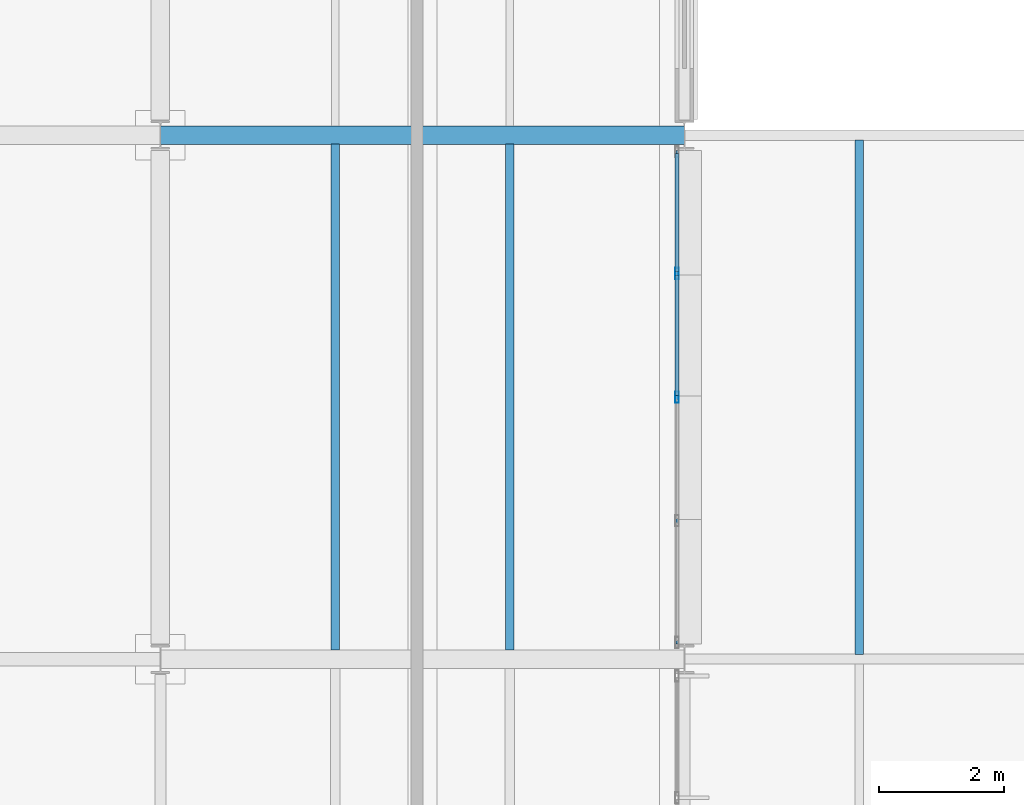
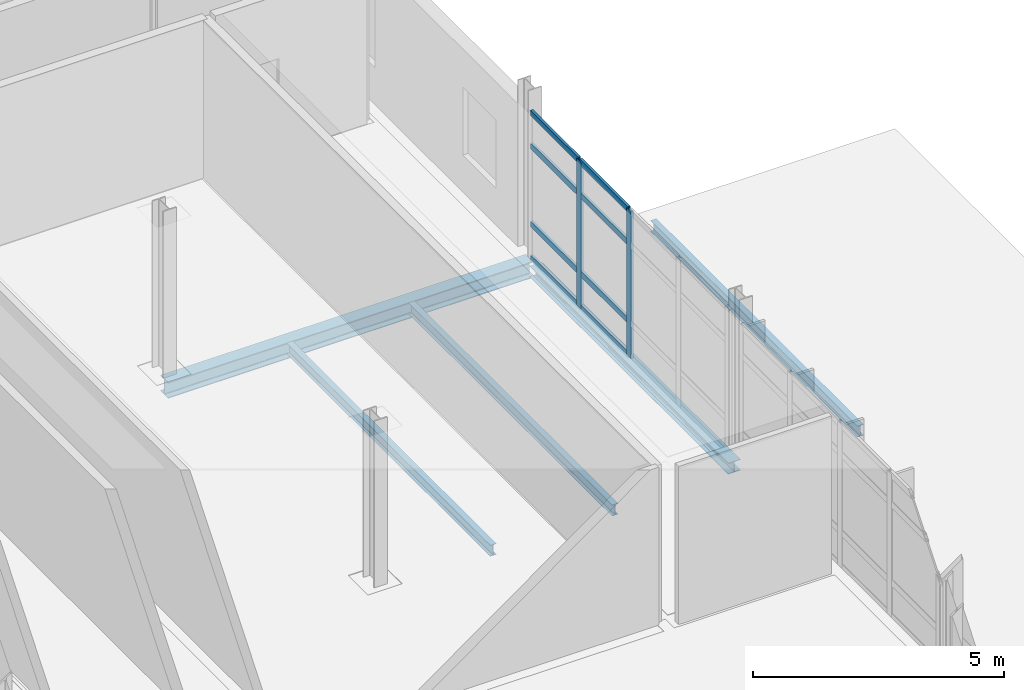
# One storey, part 98 of 151: 10 members, 5 beams, 1 element without a shape of its own.
"""IFC4 building model written with IfcOpenShell, lengths in metres."""

import ifcopenshell
import ifcopenshell.guid

model = None  # the IFC model being written
_history = None  # IfcOwnerHistory: only IFC2X3 demands one
_inside = {}  # id of a spatial element -> (the spatial element, [elements in it])
_under = {}  # id of a project, library or spatial element -> (it, [spatial elements below it])
_declared = {}  # id of a project -> (the project, [libraries it declares])
_typed = {}  # id of a type object -> (the type object, [elements of that type])
_made_of = {}  # id of a material, layer set ... -> (it, [elements and type objects made of it])


def new_model(schema):
    """Start an empty IFC model of exactly this schema.

    Asked for "IFC4X3", IfcOpenShell would pick the latest addendum, in which some entities
    have other attributes; the version numbers below select the first issue.
    IFC2X3 requires an IfcOwnerHistory on every rooted entity: one is made here for all.
    """
    global model, _history
    if schema == "IFC4X3":
        model = ifcopenshell.file(schema_version=(4, 3, 0, 0))
    else:
        model = ifcopenshell.file(schema=schema)
    _inside.clear()
    _under.clear()
    _declared.clear()
    _typed.clear()
    _made_of.clear()
    _history = None
    if model.schema == "IFC2X3":
        org = make("IfcOrganization", Name="unknown")
        user = make(
            "IfcPersonAndOrganization",
            ThePerson=make("IfcPerson", FamilyName="unknown"),
            TheOrganization=org,
        )
        app = make(
            "IfcApplication",
            ApplicationDeveloper=org,
            Version="unknown",
            ApplicationFullName="unknown",
            ApplicationIdentifier="unknown",
        )
        _history = make(
            "IfcOwnerHistory",
            OwningUser=user,
            OwningApplication=app,
            ChangeAction="ADDED",
            CreationDate=0,
        )
    return model


def make(cls, **values):
    """One entity of the class cls with the attributes given. An attribute that is None is left unset."""
    return model.create_entity(
        cls, **{name: value for name, value in values.items() if value is not None}
    )


def rooted(cls, **values):
    """An entity with a GlobalId (a new one), such as an element, a storey or a relation."""
    return make(cls, GlobalId=ifcopenshell.guid.new(), OwnerHistory=_history, **values)


def si_unit(unit_type, name, prefix=None):
    """IfcSIUnit, for example si_unit("LENGTHUNIT", "METRE", prefix="MILLI")."""
    return make("IfcSIUnit", UnitType=unit_type, Prefix=prefix, Name=name)


def assignment(units):
    """IfcUnitAssignment: the units of a project."""
    return None if units is None else make("IfcUnitAssignment", Units=units)


def point(xyz):
    """IfcCartesianPoint."""
    return None if xyz is None else make("IfcCartesianPoint", Coordinates=xyz)


def direction(xyz):
    """IfcDirection."""
    return None if xyz is None else make("IfcDirection", DirectionRatios=xyz)


def frame(location, z_axis=None, x_axis=None):
    """IfcAxis2Placement3D, a coordinate frame: its origin and axes. An axis left out is left unset."""
    return make(
        "IfcAxis2Placement3D",
        Location=point(location),
        Axis=direction(z_axis),
        RefDirection=direction(x_axis),
    )


def frame_2d(location, x_axis=None):
    """IfcAxis2Placement2D, a coordinate frame in the plane: its origin and x axis."""
    return make(
        "IfcAxis2Placement2D", Location=point(location), RefDirection=direction(x_axis)
    )


def origin():
    """The frame at (0, 0, 0) with its axes left unset."""
    return frame((0.0, 0.0, 0.0))


def origin_2d():
    """The frame at (0, 0) in the plane with its x axis left unset."""
    return frame_2d((0.0, 0.0))


def place(relative_to, where):
    """IfcLocalPlacement: puts the frame where relative to a parent placement (None: the world)."""
    return make(
        "IfcLocalPlacement", PlacementRelTo=relative_to, RelativePlacement=where
    )


def context(
    kind, dimensions, precision=None, world=None, true_north=None, identifier=None
):
    """IfcGeometricRepresentationContext, for example the 3D "Model" context."""
    return make(
        "IfcGeometricRepresentationContext",
        ContextIdentifier=identifier,
        ContextType=kind,
        CoordinateSpaceDimension=dimensions,
        Precision=precision,
        WorldCoordinateSystem=world,
        TrueNorth=true_north,
    )


def subcontext(parent, identifier, kind, view, scale=None):
    """IfcGeometricRepresentationSubContext, for example "Body" below "Model"."""
    return make(
        "IfcGeometricRepresentationSubContext",
        ContextIdentifier=identifier,
        ContextType=kind,
        ParentContext=parent,
        TargetScale=scale,
        TargetView=view,
    )


def project(units=None, contexts=None):
    """IfcProject with its units and contexts."""
    return rooted(
        "IfcProject",
        Name="project",
        RepresentationContexts=contexts,
        UnitsInContext=assignment(units),
    )


def spatial(cls, under=None, at=None, **own):
    """A site, building, storey or space (cls), placed at a placement, below another one or the project."""
    s = rooted(cls, ObjectPlacement=at, **own)
    if under is not None:
        _under.setdefault(under.id(), (under, []))[1].append(s)
    return s


def profile(cls, at=None, kind="AREA", **sizes):
    """A parametric profile (cls). Its sizes go by their IFC names, for example OverallWidth=200.0."""
    return make(cls, ProfileType=kind, Position=at, **sizes)


def hollow_rectangle(**sizes):
    """IfcRectangleHollowProfileDef."""
    return profile("IfcRectangleHollowProfileDef", **sizes)


def i_section(**sizes):
    """IfcIShapeProfileDef."""
    return profile("IfcIShapeProfileDef", **sizes)


def extrude(swept, where, along, depth):
    """IfcExtrudedAreaSolid: the profile swept, set in the frame where, extruded along a direction by depth."""
    return make(
        "IfcExtrudedAreaSolid",
        SweptArea=swept,
        Position=where,
        ExtrudedDirection=direction(along),
        Depth=depth,
    )


def shape(context_of_items, identifier, shape_type, items):
    """IfcShapeRepresentation: the items that make up one representation, for example the "Body"."""
    return make(
        "IfcShapeRepresentation",
        ContextOfItems=context_of_items,
        RepresentationIdentifier=identifier,
        RepresentationType=shape_type,
        Items=items,
    )


def material(Name=None, Category=None):
    """IfcMaterial."""
    return make("IfcMaterial", Name=Name, Category=Category)


def material_profile(
    of_material, cross_section, Name=None, Category=None, Priority=None
):
    """IfcMaterialProfile: a cross section and its material."""
    return make(
        "IfcMaterialProfile",
        Name=Name,
        Material=of_material,
        Profile=cross_section,
        Priority=Priority,
        Category=Category,
    )


def profile_set(profiles, Name=None, composite=None):
    """IfcMaterialProfileSet."""
    return make(
        "IfcMaterialProfileSet",
        Name=Name,
        MaterialProfiles=profiles,
        CompositeProfile=composite,
    )


def made_of(thing, what):
    """Note that an element or type object is made of a material, layer set ...; save() writes the relation."""
    if what is not None:
        _made_of.setdefault(what.id(), (what, []))[1].append(thing)
    return thing


def type_object(cls, material=None, **own):
    """A type object (cls), such as IfcWallType, which elements share."""
    return made_of(rooted(cls, **own), material)


def element(
    cls,
    number,
    at=None,
    inside=None,
    cuts=None,
    type_object=None,
    material=None,
    context=None,
    identifier="Body",
    shape_type=None,
    held_by="IfcProductDefinitionShape",
    body=None,
    shapes=None,
    **own,
):
    """One element of the class cls, such as IfcWall. Its Tag is "e" and its number.

    at: its placement. inside: the storey or other place that contains it. cuts: it is an
    opening in that element (IfcRelVoidsElement). A single representation is given by context,
    identifier, shape_type and body (its items); several are given by shapes. held_by: the class
    of the entity that holds the representations. save() writes the other relations.
    """
    e = rooted(cls, Tag="e%d" % number, ObjectPlacement=at, **own)
    if body is not None:
        shapes = [shape(context, identifier, shape_type, body)]
    if shapes is not None:
        e.Representation = make(held_by, Representations=shapes)
    if inside is not None:
        _inside.setdefault(inside.id(), (inside, []))[1].append(e)
    if cuts is not None:
        rooted(
            "IfcRelVoidsElement", RelatingBuildingElement=cuts, RelatedOpeningElement=e
        )
    if type_object is not None:
        _typed.setdefault(type_object.id(), (type_object, []))[1].append(e)
    return made_of(e, material)


def aggregate(whole, parts):
    """IfcRelAggregates: a whole, such as a stair, and the parts it consists of."""
    return rooted("IfcRelAggregates", RelatingObject=whole, RelatedObjects=parts)


def save(model, path):
    """Write the relations noted so far, then the file.

    IfcRelAggregates (storeys below a building ...), IfcRelContainedInSpatialStructure (elements
    in a storey), IfcRelDefinesByType, IfcRelAssociatesMaterial and IfcRelDeclares: one each for
    every whole, place, type object, material and project.
    """
    for whole, parts in _under.values():
        aggregate(whole, parts)
    for where, things in _inside.values():
        rooted(
            "IfcRelContainedInSpatialStructure",
            RelatedElements=things,
            RelatingStructure=where,
        )
    for kind, things in _typed.values():
        rooted("IfcRelDefinesByType", RelatedObjects=things, RelatingType=kind)
    for what, things in _made_of.values():
        rooted("IfcRelAssociatesMaterial", RelatedObjects=things, RelatingMaterial=what)
    for by, libraries in _declared.values():
        rooted("IfcRelDeclares", RelatingContext=by, RelatedDefinitions=libraries)
    model.write(path)


model = new_model("IFC4")

# Units and contexts
model_context = context("Model", 3, precision=1e-05, world=origin(), true_north=direction((0.0, 1.0)))
body_context = subcontext(model_context, "Body", "Model", "MODEL_VIEW")
ifc_project = project(units=[si_unit("LENGTHUNIT", "METRE"), si_unit("AREAUNIT", "SQUARE_METRE"), si_unit("VOLUMEUNIT", "CUBIC_METRE"), si_unit("PLANEANGLEUNIT", "RADIAN"), si_unit("MASSUNIT", "GRAM", prefix="KILO")], contexts=[model_context])

# Site, building, storey
site_placement = place(None, origin())
site = spatial("IfcSite", under=ifc_project, at=site_placement, CompositionType="ELEMENT")
building_placement = place(site_placement, origin())
building = spatial("IfcBuilding", under=site, at=building_placement, Name="Mersafa Astral City Hall", CompositionType="ELEMENT")
storey_placement = place(building_placement, frame((0.0, 0.0, 9.89990234375)))
storey = spatial("IfcBuildingStorey", under=building, at=storey_placement, Name="L02", CompositionType="ELEMENT", Elevation=9.89990234375)

# Curtain wall, members
ifc_material_1 = material(Name="Anodised bronze aluminium framing", Category="aluminium")
curtain_wall_type = type_object("IfcCurtainWallType", Name="ENV-CW-6", PredefinedType="USERDEFINED", material=ifc_material_1)
curtain_wall_placement = place(storey_placement, origin())
curtain_wall = element("IfcCurtainWall", 1, at=curtain_wall_placement, inside=storey, type_object=curtain_wall_type, Name="L02 Unitised solar curtain wall 125", ObjectType="UNITISED CURTAIN WALL", PredefinedType="USERDEFINED")
ifc_material_profile_1 = material_profile(ifc_material_1, hollow_rectangle(XDim=0.06005859375, YDim=0.179931640625, WallThickness=0.00390625, at=origin_2d()), Name="RHS 60x180x4")
ifc_profile_set_1 = profile_set([ifc_material_profile_1], Name="Anodised bronze aluminium framing")
member_type_1 = type_object("IfcMemberType", Name="ENV-CW-MUL-1", PredefinedType="MULLION", material=ifc_profile_set_1)
member_1_placement = place(storey_placement, frame((176.280029296875, 88.199951171875, -0.001953125), z_axis=(0.0, 0.0, 1.0), x_axis=(-1.0, 0.0, 0.0)))
member_1 = element("IfcMember", 2, at=member_1_placement, type_object=member_type_1, Name="CW-6 mullion 3", PredefinedType="MULLION", context=body_context, shape_type="SweptSolid", body=[
    extrude(hollow_rectangle(XDim=0.06005859375, YDim=0.179931640625, WallThickness=0.00390625, at=origin_2d()), origin(), (0.0, 0.0, 1.0), 3.5791015625),
])
member_2_placement = place(storey_placement, frame((176.280029296875, 90.181396484375, -0.001953125), z_axis=(0.0, 0.0, 1.0), x_axis=(-1.0, 0.0, 0.0)))
member_2 = element("IfcMember", 3, at=member_2_placement, type_object=member_type_1, Name="CW-6 mullion 4", PredefinedType="MULLION", context=body_context, shape_type="SweptSolid", body=[
    extrude(hollow_rectangle(XDim=0.06005859375, YDim=0.179931640625, WallThickness=0.00390625, at=origin_2d()), origin(), (0.0, 0.0, 1.0), 3.5791015625),
])
ifc_material_profile_2 = material_profile(ifc_material_1, hollow_rectangle(XDim=0.06005859375, YDim=0.139892578125, WallThickness=0.00390625, at=origin_2d()), Name="RHS 60x140x4")
ifc_profile_set_2 = profile_set([ifc_material_profile_2], Name="Anodised bronze aluminium framing")
member_type_2 = type_object("IfcMemberType", Name="ENV-CW-TRN-1", PredefinedType="USERDEFINED", material=ifc_profile_set_2)
member_3_placement = place(storey_placement, frame((176.280029296875, 88.22998046875, 0.028076171875), z_axis=(0.0, 1.0, 0.0), x_axis=(-1.0, 0.0, 0.0)))
member_3 = element("IfcMember", 4, at=member_3_placement, type_object=member_type_2, Name="CW-6 transom 3.1", ObjectType="TRANSOM", PredefinedType="USERDEFINED", context=body_context, shape_type="SweptSolid", body=[
    extrude(hollow_rectangle(XDim=0.06005859375, YDim=0.139892578125, WallThickness=0.00390625, at=origin_2d()), origin(), (0.0, 0.0, 1.0), 1.921630859375),
])
member_4_placement = place(storey_placement, frame((176.280029296875, 88.22998046875, 0.85009765625), z_axis=(0.0, 1.0, 0.0), x_axis=(-1.0, 0.0, 0.0)))
member_4 = element("IfcMember", 5, at=member_4_placement, type_object=member_type_2, Name="CW-6 transom 3.2", ObjectType="TRANSOM", PredefinedType="USERDEFINED", context=body_context, shape_type="SweptSolid", body=[
    extrude(hollow_rectangle(XDim=0.06005859375, YDim=0.139892578125, WallThickness=0.00390625, at=origin_2d()), origin(), (0.0, 0.0, 1.0), 1.921630859375),
])
member_5_placement = place(storey_placement, frame((176.280029296875, 88.22998046875, 2.75), z_axis=(0.0, 1.0, 0.0), x_axis=(-1.0, 0.0, 0.0)))
member_5 = element("IfcMember", 6, at=member_5_placement, type_object=member_type_2, Name="CW-6 transom 3.3", ObjectType="TRANSOM", PredefinedType="USERDEFINED", context=body_context, shape_type="SweptSolid", body=[
    extrude(hollow_rectangle(XDim=0.06005859375, YDim=0.139892578125, WallThickness=0.00390625, at=origin_2d()), origin(), (0.0, 0.0, 1.0), 1.921630859375),
])
member_6_placement = place(storey_placement, frame((176.280029296875, 88.22998046875, 3.547119140625), z_axis=(0.0, 1.0, 0.0), x_axis=(-1.0, 0.0, 0.0)))
member_6 = element("IfcMember", 7, at=member_6_placement, type_object=member_type_2, Name="CW-6 transom 3.4", ObjectType="TRANSOM", PredefinedType="USERDEFINED", context=body_context, shape_type="SweptSolid", body=[
    extrude(hollow_rectangle(XDim=0.06005859375, YDim=0.139892578125, WallThickness=0.00390625, at=origin_2d()), origin(), (0.0, 0.0, 1.0), 1.921630859375),
])
member_7_placement = place(storey_placement, frame((176.280029296875, 90.21142578125, 0.028076171875), z_axis=(0.0, 1.0, 0.0), x_axis=(-1.0, 0.0, 0.0)))
member_7 = element("IfcMember", 8, at=member_7_placement, type_object=member_type_2, Name="CW-6 transom 4.1", ObjectType="TRANSOM", PredefinedType="USERDEFINED", context=body_context, shape_type="SweptSolid", body=[
    extrude(hollow_rectangle(XDim=0.06005859375, YDim=0.139892578125, WallThickness=0.00390625, at=origin_2d()), origin(), (0.0, 0.0, 1.0), 1.8916015625),
])
member_8_placement = place(storey_placement, frame((176.280029296875, 90.21142578125, 0.85009765625), z_axis=(0.0, 1.0, 0.0), x_axis=(-1.0, 0.0, 0.0)))
member_8 = element("IfcMember", 9, at=member_8_placement, type_object=member_type_2, Name="CW-6 transom 4.2", ObjectType="TRANSOM", PredefinedType="USERDEFINED", context=body_context, shape_type="SweptSolid", body=[
    extrude(hollow_rectangle(XDim=0.06005859375, YDim=0.139892578125, WallThickness=0.00390625, at=origin_2d()), origin(), (0.0, 0.0, 1.0), 1.8916015625),
])
member_9_placement = place(storey_placement, frame((176.280029296875, 90.21142578125, 2.75), z_axis=(0.0, 1.0, 0.0), x_axis=(-1.0, 0.0, 0.0)))
member_9 = element("IfcMember", 10, at=member_9_placement, type_object=member_type_2, Name="CW-6 transom 4.3", ObjectType="TRANSOM", PredefinedType="USERDEFINED", context=body_context, shape_type="SweptSolid", body=[
    extrude(hollow_rectangle(XDim=0.06005859375, YDim=0.139892578125, WallThickness=0.00390625, at=origin_2d()), origin(), (0.0, 0.0, 1.0), 1.8916015625),
])
member_10_placement = place(storey_placement, frame((176.280029296875, 90.21142578125, 3.547119140625), z_axis=(0.0, 1.0, 0.0), x_axis=(-1.0, 0.0, 0.0)))
member_10 = element("IfcMember", 11, at=member_10_placement, type_object=member_type_2, Name="CW-6 transom 4.4", ObjectType="TRANSOM", PredefinedType="USERDEFINED", context=body_context, shape_type="SweptSolid", body=[
    extrude(hollow_rectangle(XDim=0.06005859375, YDim=0.139892578125, WallThickness=0.00390625, at=origin_2d()), origin(), (0.0, 0.0, 1.0), 1.8916015625),
])
aggregate(curtain_wall, [member_1, member_2, member_3, member_4, member_5, member_6, member_7, member_8, member_9, member_10])

# Beams
ifc_material_2 = material(Name="Steel S355", Category="steel")
ifc_material_profile_3 = material_profile(ifc_material_2, i_section(OverallWidth=0.300048828125, OverallDepth=0.389892578125, WebThickness=0.010986328125, FlangeThickness=0.01904296875, FilletRadius=0.027099609375, at=origin_2d()), Name="HEA 400")
ifc_profile_set_3 = profile_set([ifc_material_profile_3], Name="Steel S355")
beam_type_1 = type_object("IfcBeamType", Name="STR-BM-HEA400", PredefinedType="BEAM", material=ifc_profile_set_3)
beam_1_placement = place(storey_placement, frame((168.0029296875, 92.39990234375, -0.39501953125), z_axis=(1.0, 0.0, 0.0), x_axis=(0.0, 1.0, 0.0)))
element("IfcBeam", 12, at=beam_1_placement, inside=storey, type_object=beam_type_1, Name="L02 Primary girder X 20-11", PredefinedType="BEAM", context=body_context, shape_type="SweptSolid", body=[
    extrude(i_section(OverallWidth=0.300048828125, OverallDepth=0.389892578125, WebThickness=0.010986328125, FlangeThickness=0.01904296875, FilletRadius=0.027099609375, at=origin_2d()), origin(), (0.0, 0.0, 1.0), 8.39404296875),
])
ifc_material_profile_4 = material_profile(ifc_material_2, i_section(OverallWidth=0.135009765625, OverallDepth=0.27001953125, WebThickness=0.006591796875, FlangeThickness=0.01025390625, FilletRadius=0.014892578125, at=origin_2d()), Name="IPE 270")
ifc_profile_set_4 = profile_set([ifc_material_profile_4], Name="Steel S355")
beam_type_2 = type_object("IfcBeamType", Name="STR-BM-JOIST-IPE270", PredefinedType="JOIST", material=ifc_profile_set_4)
for number, where, z_axis, x_axis, name in (
    (13, (170.800048828125, 84.14501953125, -0.3349609375), (0.0, 1.0, 0.0), (-1.0, 0.0, 0.0), "L02 Composite secondary floor joist 545"),
    (14, (173.60009765625, 84.14501953125, -0.3349609375), (0.0, 1.0, 0.0), (-1.0, 0.0, 0.0), "L02 Composite secondary floor joist 546"),
):
    element("IfcBeam", number, at=place(storey_placement, frame(where, z_axis=z_axis, x_axis=x_axis)), inside=storey, type_object=beam_type_2, Name=name, PredefinedType="JOIST", context=body_context, shape_type="SweptSolid", body=[
        extrude(i_section(OverallWidth=0.135009765625, OverallDepth=0.27001953125, WebThickness=0.006591796875, FlangeThickness=0.01025390625, FilletRadius=0.014892578125, at=origin_2d()), origin(), (0.0, 0.0, 1.0), 8.10986328125),
    ])
beam_2_placement = place(storey_placement, frame((179.199951171875, 84.074951171875, -0.3349609375), z_axis=(0.0, 1.0, 0.0), x_axis=(-1.0, 0.0, 0.0)))
element("IfcBeam", 15, at=beam_2_placement, inside=storey, type_object=beam_type_2, Name="L02 Flat roof secondary joist 33", PredefinedType="JOIST", context=body_context, shape_type="SweptSolid", body=[
    extrude(i_section(OverallWidth=0.135009765625, OverallDepth=0.27001953125, WebThickness=0.006591796875, FlangeThickness=0.01025390625, FilletRadius=0.014892578125, at=origin_2d()), origin(), (0.0, 0.0, 1.0), 8.2451171875),
])
ifc_material_profile_5 = material_profile(ifc_material_2, i_section(OverallWidth=0.280029296875, OverallDepth=0.27001953125, WebThickness=0.008056640625, FlangeThickness=0.012939453125, FilletRadius=0.02392578125, at=origin_2d()), Name="HEA 280")
ifc_profile_set_5 = profile_set([ifc_material_profile_5], Name="Steel S355")
beam_type_3 = type_object("IfcBeamType", Name="STR-BM-SPANDREL-HEA280", PredefinedType="SPANDREL", material=ifc_profile_set_5)
beam_3_placement = place(storey_placement, frame((176.39990234375, 84.2451171875, -0.3349609375), z_axis=(0.0, 1.0, 0.0), x_axis=(-1.0, 0.0, 0.0)))
element("IfcBeam", 16, at=beam_3_placement, inside=storey, type_object=beam_type_3, Name="L02 Primary girder Y 21-10", PredefinedType="SPANDREL", context=body_context, shape_type="SweptSolid", body=[
    extrude(i_section(OverallWidth=0.280029296875, OverallDepth=0.27001953125, WebThickness=0.008056640625, FlangeThickness=0.012939453125, FilletRadius=0.02392578125, at=origin_2d()), origin(), (0.0, 0.0, 1.0), 7.909912109375),
])

save(model, "model.ifc")
